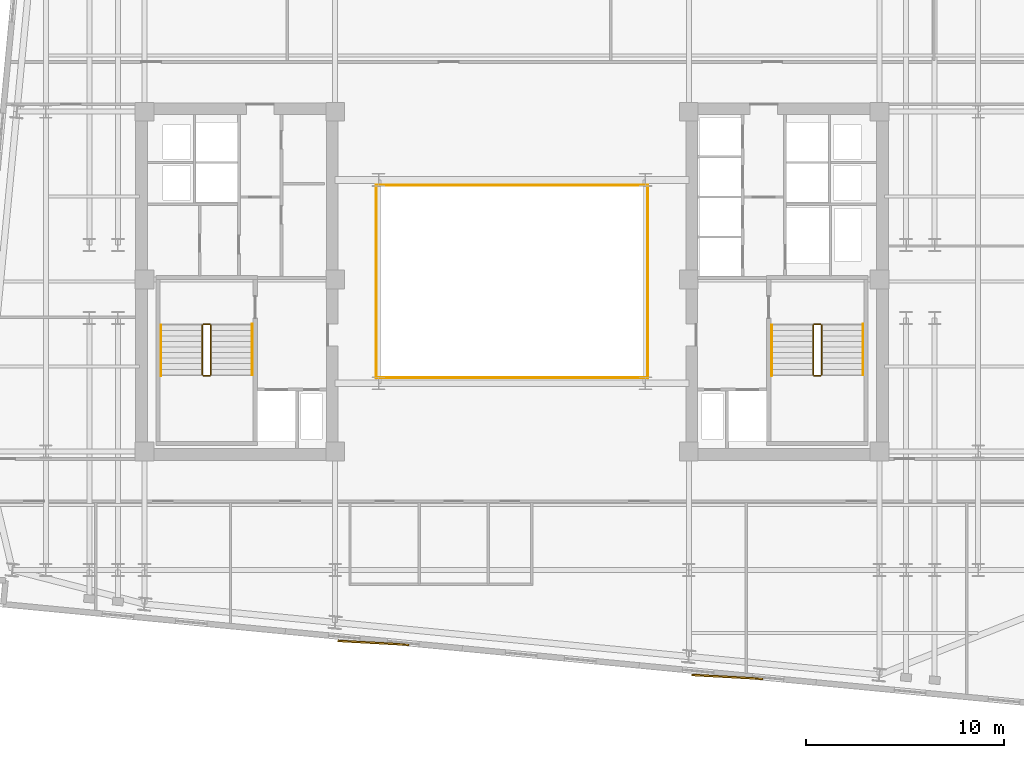
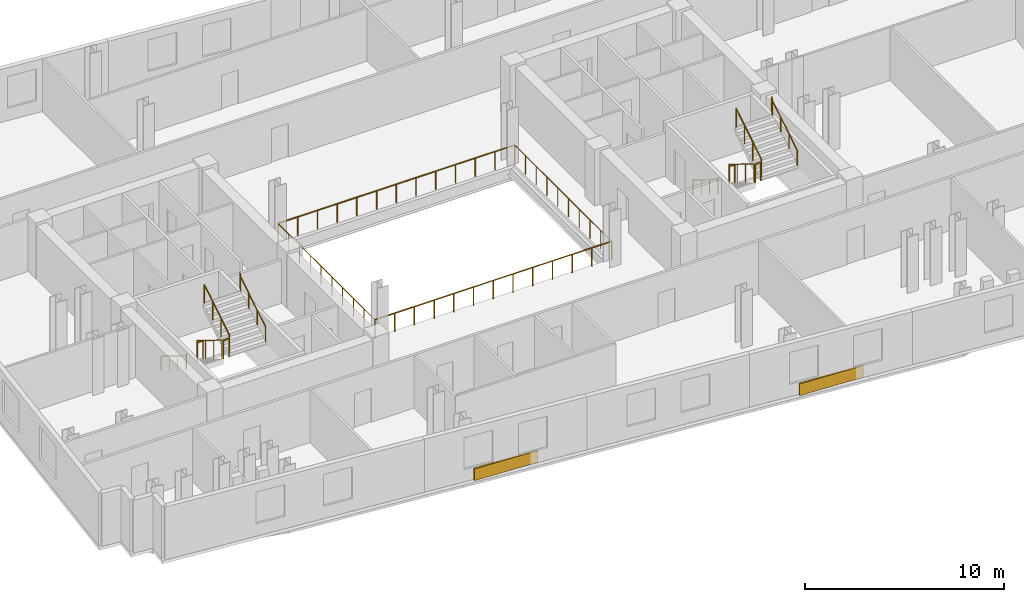
# One storey, part 8 of 9: 16 railings, 2 coverings.
"""IFC4 building model written with IfcOpenShell, lengths in metres."""

from ifc_helpers import new_model, si_unit, direction, frame, origin, origin_2d, place, context, subcontext, project, spatial, rectangle, circle, extrude, material, layer, layer_set, type_object, element, save


model = new_model("IFC4")

# Units and contexts
model_context = context("Model", 3, precision=1e-05, world=origin(), true_north=direction((0.0, 1.0)))
body_context = subcontext(model_context, "Body", "Model", "MODEL_VIEW")
ifc_project = project(units=[si_unit("LENGTHUNIT", "METRE"), si_unit("AREAUNIT", "SQUARE_METRE"), si_unit("VOLUMEUNIT", "CUBIC_METRE"), si_unit("PLANEANGLEUNIT", "RADIAN"), si_unit("MASSUNIT", "GRAM", prefix="KILO")], contexts=[model_context])

# Site, building, storey
site_placement = place(None, origin())
site = spatial("IfcSite", under=ifc_project, at=site_placement, CompositionType="ELEMENT")
building_placement = place(site_placement, origin())
building = spatial("IfcBuilding", under=site, at=building_placement, Name="Velakula Bourse", CompositionType="ELEMENT")
storey_placement = place(building_placement, frame((0.0, 0.0, 181.10009765625)))
storey = spatial("IfcBuildingStorey", under=building, at=storey_placement, Name="L49", CompositionType="ELEMENT", Elevation=181.10009765625)

# Coverings
ifc_material_1 = material(Name="Buff kilned clay facing brick masonry", Category="masonry")
ifc_layer = layer(ifc_material_1, 0.074951171875, Name="Buff kilned clay facing brick masonry", Category="masonry")
ifc_layer_set = layer_set([ifc_layer], Name="Buff kilned clay facing brick masonry")
covering_type = type_object("IfcCoveringType", Name="COV-BRK-SPN-75", PredefinedType="CLADDING", material=ifc_layer_set)
for number, where, z_axis, x_axis, name in (
    (1, (-7.01220703125, -18.288330078125, 0.0), (0.0, 0.0, 1.0), (0.998489097451, -0.054950179912, 0.0), "L49 Folded Brick Facade Cladding Panel S-B2"),
    (2, (10.905029296875, -20.013671875, 0.0), (0.0, 0.0, 1.0), (0.998489097451, -0.054950179912, 0.0), "L49 Folded Brick Facade Cladding Panel S-B4"),
):
    element("IfcCovering", number, at=place(storey_placement, frame(where, z_axis=z_axis, x_axis=x_axis)), inside=storey, type_object=covering_type, Name=name, PredefinedType="CLADDING", context=body_context, shape_type="SweptSolid", body=[
        extrude(rectangle(XDim=3.60009765625, YDim=0.090087890625, at=origin_2d()), origin(), (0.0, 0.0, 1.0), 0.719970703125),
    ])

# Railings
ifc_material_2 = material(Name="Brushed grade 316 stainless steel", Category="steel")
railing_type_1 = type_object("IfcRailingType", Name="RLG-ATRIUM-1150", PredefinedType="BALUSTRADE", material=ifc_material_2)
railing_1_placement = place(storey_placement, frame((-6.8798828125, -4.8798828125, 0.0)))
element("IfcRailing", 3, at=railing_1_placement, inside=storey, type_object=railing_type_1, Name="L49 Central Trading Atrium Balustrade S", PredefinedType="BALUSTRADE", context=body_context, shape_type="SweptSolid", body=[
    extrude(circle(Radius=0.02392578125, at=origin_2d()), frame((0.0, 0.0, 1.1259765625), z_axis=(1.0, 0.0, 0.0), x_axis=(0.0, 1.0, 0.0)), (0.0, 0.0, 1.0), 13.759765625),
    extrude(circle(Radius=0.02099609375, at=origin_2d()), origin(), (0.0, 0.0, 1.0), 1.101806640625),
    extrude(circle(Radius=0.02099609375, at=origin_2d()), frame((1.146728515625, 0.0, 0.0)), (0.0, 0.0, 1.0), 1.101806640625),
    extrude(circle(Radius=0.02099609375, at=origin_2d()), frame((2.293212890625, 0.0, 0.0)), (0.0, 0.0, 1.0), 1.101806640625),
    extrude(circle(Radius=0.02099609375, at=origin_2d()), frame((3.43994140625, 0.0, 0.0)), (0.0, 0.0, 1.0), 1.101806640625),
    extrude(circle(Radius=0.02099609375, at=origin_2d()), frame((4.586669921875, 0.0, 0.0)), (0.0, 0.0, 1.0), 1.101806640625),
    extrude(circle(Radius=0.02099609375, at=origin_2d()), frame((5.733154296875, 0.0, 0.0)), (0.0, 0.0, 1.0), 1.101806640625),
    extrude(circle(Radius=0.02099609375, at=origin_2d()), frame((6.8798828125, 0.0, 0.0)), (0.0, 0.0, 1.0), 1.101806640625),
    extrude(circle(Radius=0.02099609375, at=origin_2d()), frame((8.026611328125, 0.0, 0.0)), (0.0, 0.0, 1.0), 1.101806640625),
    extrude(circle(Radius=0.02099609375, at=origin_2d()), frame((9.173095703125, 0.0, 0.0)), (0.0, 0.0, 1.0), 1.101806640625),
    extrude(circle(Radius=0.02099609375, at=origin_2d()), frame((10.31982421875, 0.0, 0.0)), (0.0, 0.0, 1.0), 1.101806640625),
    extrude(circle(Radius=0.02099609375, at=origin_2d()), frame((11.466552734375, 0.0, 0.0)), (0.0, 0.0, 1.0), 1.101806640625),
    extrude(circle(Radius=0.02099609375, at=origin_2d()), frame((12.613037109375, 0.0, 0.0)), (0.0, 0.0, 1.0), 1.101806640625),
    extrude(circle(Radius=0.02099609375, at=origin_2d()), frame((13.759765625, 0.0, 0.0)), (0.0, 0.0, 1.0), 1.101806640625),
])
railing_2_placement = place(storey_placement, frame((6.8798828125, -4.8798828125, 0.0)))
element("IfcRailing", 4, at=railing_2_placement, inside=storey, type_object=railing_type_1, Name="L49 Central Trading Atrium Balustrade E", PredefinedType="BALUSTRADE", context=body_context, shape_type="SweptSolid", body=[
    extrude(circle(Radius=0.02392578125, at=origin_2d()), frame((0.0, 0.0, 1.1259765625), z_axis=(0.0, 1.0, 0.0), x_axis=(-1.0, 0.0, 0.0)), (0.0, 0.0, 1.0), 9.759765625),
    extrude(circle(Radius=0.02099609375, at=origin_2d()), origin(), (0.0, 0.0, 1.0), 1.101806640625),
    extrude(circle(Radius=0.02099609375, at=origin_2d()), frame((0.0, 1.08447265625, 0.0)), (0.0, 0.0, 1.0), 1.101806640625),
    extrude(circle(Radius=0.02099609375, at=origin_2d()), frame((0.0, 2.1689453125, 0.0)), (0.0, 0.0, 1.0), 1.101806640625),
    extrude(circle(Radius=0.02099609375, at=origin_2d()), frame((0.0, 3.253173828125, 0.0)), (0.0, 0.0, 1.0), 1.101806640625),
    extrude(circle(Radius=0.02099609375, at=origin_2d()), frame((0.0, 4.337646484375, 0.0)), (0.0, 0.0, 1.0), 1.101806640625),
    extrude(circle(Radius=0.02099609375, at=origin_2d()), frame((0.0, 5.422119140625, 0.0)), (0.0, 0.0, 1.0), 1.101806640625),
    extrude(circle(Radius=0.02099609375, at=origin_2d()), frame((0.0, 6.506591796875, 0.0)), (0.0, 0.0, 1.0), 1.101806640625),
    extrude(circle(Radius=0.02099609375, at=origin_2d()), frame((0.0, 7.5908203125, 0.0)), (0.0, 0.0, 1.0), 1.101806640625),
    extrude(circle(Radius=0.02099609375, at=origin_2d()), frame((0.0, 8.67529296875, 0.0)), (0.0, 0.0, 1.0), 1.101806640625),
    extrude(circle(Radius=0.02099609375, at=origin_2d()), frame((0.0, 9.759765625, 0.0)), (0.0, 0.0, 1.0), 1.101806640625),
])
railing_3_placement = place(storey_placement, frame((6.8798828125, 4.8798828125, 0.0)))
element("IfcRailing", 5, at=railing_3_placement, inside=storey, type_object=railing_type_1, Name="L49 Central Trading Atrium Balustrade N", PredefinedType="BALUSTRADE", context=body_context, shape_type="SweptSolid", body=[
    extrude(circle(Radius=0.02392578125, at=origin_2d()), frame((0.0, 0.0, 1.1259765625), z_axis=(-1.0, 0.0, 0.0), x_axis=(0.0, -1.0, 0.0)), (0.0, 0.0, 1.0), 13.759765625),
    extrude(circle(Radius=0.02099609375, at=origin_2d()), origin(), (0.0, 0.0, 1.0), 1.101806640625),
    extrude(circle(Radius=0.02099609375, at=origin_2d()), frame((-1.146728515625, 0.0, 0.0)), (0.0, 0.0, 1.0), 1.101806640625),
    extrude(circle(Radius=0.02099609375, at=origin_2d()), frame((-2.293212890625, 0.0, 0.0)), (0.0, 0.0, 1.0), 1.101806640625),
    extrude(circle(Radius=0.02099609375, at=origin_2d()), frame((-3.43994140625, 0.0, 0.0)), (0.0, 0.0, 1.0), 1.101806640625),
    extrude(circle(Radius=0.02099609375, at=origin_2d()), frame((-4.586669921875, 0.0, 0.0)), (0.0, 0.0, 1.0), 1.101806640625),
    extrude(circle(Radius=0.02099609375, at=origin_2d()), frame((-5.733154296875, 0.0, 0.0)), (0.0, 0.0, 1.0), 1.101806640625),
    extrude(circle(Radius=0.02099609375, at=origin_2d()), frame((-6.8798828125, 0.0, 0.0)), (0.0, 0.0, 1.0), 1.101806640625),
    extrude(circle(Radius=0.02099609375, at=origin_2d()), frame((-8.026611328125, 0.0, 0.0)), (0.0, 0.0, 1.0), 1.101806640625),
    extrude(circle(Radius=0.02099609375, at=origin_2d()), frame((-9.173095703125, 0.0, 0.0)), (0.0, 0.0, 1.0), 1.101806640625),
    extrude(circle(Radius=0.02099609375, at=origin_2d()), frame((-10.31982421875, 0.0, 0.0)), (0.0, 0.0, 1.0), 1.101806640625),
    extrude(circle(Radius=0.02099609375, at=origin_2d()), frame((-11.466552734375, 0.0, 0.0)), (0.0, 0.0, 1.0), 1.101806640625),
    extrude(circle(Radius=0.02099609375, at=origin_2d()), frame((-12.613037109375, 0.0, 0.0)), (0.0, 0.0, 1.0), 1.101806640625),
    extrude(circle(Radius=0.02099609375, at=origin_2d()), frame((-13.759765625, 0.0, 0.0)), (0.0, 0.0, 1.0), 1.101806640625),
])
railing_4_placement = place(storey_placement, frame((-6.8798828125, 4.8798828125, 0.0)))
element("IfcRailing", 6, at=railing_4_placement, inside=storey, type_object=railing_type_1, Name="L49 Central Trading Atrium Balustrade W", PredefinedType="BALUSTRADE", context=body_context, shape_type="SweptSolid", body=[
    extrude(circle(Radius=0.02392578125, at=origin_2d()), frame((0.0, 0.0, 1.1259765625), z_axis=(0.0, -1.0, 0.0), x_axis=(1.0, 0.0, 0.0)), (0.0, 0.0, 1.0), 9.759765625),
    extrude(circle(Radius=0.02099609375, at=origin_2d()), origin(), (0.0, 0.0, 1.0), 1.101806640625),
    extrude(circle(Radius=0.02099609375, at=origin_2d()), frame((0.0, -1.08447265625, 0.0)), (0.0, 0.0, 1.0), 1.101806640625),
    extrude(circle(Radius=0.02099609375, at=origin_2d()), frame((0.0, -2.1689453125, 0.0)), (0.0, 0.0, 1.0), 1.101806640625),
    extrude(circle(Radius=0.02099609375, at=origin_2d()), frame((0.0, -3.253173828125, 0.0)), (0.0, 0.0, 1.0), 1.101806640625),
    extrude(circle(Radius=0.02099609375, at=origin_2d()), frame((0.0, -4.337646484375, 0.0)), (0.0, 0.0, 1.0), 1.101806640625),
    extrude(circle(Radius=0.02099609375, at=origin_2d()), frame((0.0, -5.422119140625, 0.0)), (0.0, 0.0, 1.0), 1.101806640625),
    extrude(circle(Radius=0.02099609375, at=origin_2d()), frame((0.0, -6.506591796875, 0.0)), (0.0, 0.0, 1.0), 1.101806640625),
    extrude(circle(Radius=0.02099609375, at=origin_2d()), frame((0.0, -7.5908203125, 0.0)), (0.0, 0.0, 1.0), 1.101806640625),
    extrude(circle(Radius=0.02099609375, at=origin_2d()), frame((0.0, -8.67529296875, 0.0)), (0.0, 0.0, 1.0), 1.101806640625),
    extrude(circle(Radius=0.02099609375, at=origin_2d()), frame((0.0, -9.759765625, 0.0)), (0.0, 0.0, 1.0), 1.101806640625),
])
railing_type_2 = type_object("IfcRailingType", Name="RLG-STAIR-GUARD-1150", PredefinedType="BALUSTRADE", material=ifc_material_2)
railing_5_placement = place(storey_placement, frame((-15.672119140625, -2.199951171875, 0.17236328125)))
element("IfcRailing", 7, at=railing_5_placement, inside=storey, type_object=railing_type_2, Name="L49 ST-W1 stair guard 1", PredefinedType="BALUSTRADE", context=body_context, shape_type="SweptSolid", body=[
    extrude(circle(Radius=0.02490234375, at=origin_2d()), frame((0.0, 0.0, 1.125), z_axis=(0.0, -0.851400495292, 0.524516154772), x_axis=(1.0, 0.0, 0.0)), (0.0, 0.0, 1.0), 2.9599609375),
    extrude(circle(Radius=0.02099609375, at=origin_2d()), origin(), (0.0, 0.0, 1.0), 1.099853515625),
    extrude(circle(Radius=0.02099609375, at=origin_2d()), frame((0.0, -0.840087890625, 0.517578125)), (0.0, 0.0, 1.0), 1.099853515625),
    extrude(circle(Radius=0.02099609375, at=origin_2d()), frame((0.0, -1.679931640625, 1.034912109375)), (0.0, 0.0, 1.0), 1.099853515625),
    extrude(circle(Radius=0.02099609375, at=origin_2d()), frame((0.0, -2.52001953125, 1.552490234375)), (0.0, 0.0, 1.0), 1.099853515625),
])
railing_6_placement = place(storey_placement, frame((-15.6220703125, -4.77001953125, 1.724853515625)))
element("IfcRailing", 8, at=railing_6_placement, inside=storey, type_object=railing_type_2, Name="L49 ST-W1 stair guard 2", PredefinedType="BALUSTRADE", context=body_context, shape_type="SweptSolid", body=[
    extrude(circle(Radius=0.02490234375, at=origin_2d()), frame((0.0, 0.0, 1.125), z_axis=(1.0, 0.0, 0.0), x_axis=(0.0, 1.0, 0.0)), (0.0, 0.0, 1.0), 0.323974609375),
    extrude(circle(Radius=0.02099609375, at=origin_2d()), origin(), (0.0, 0.0, 1.0), 1.099853515625),
    extrude(circle(Radius=0.02099609375, at=origin_2d()), frame((0.323974609375, 0.0, 0.0)), (0.0, 0.0, 1.0), 1.099853515625),
])
railing_7_placement = place(storey_placement, frame((-15.248046875, -4.719970703125, 1.8974609375)))
element("IfcRailing", 9, at=railing_7_placement, inside=storey, type_object=railing_type_2, Name="L49 ST-W1 stair guard 3", PredefinedType="BALUSTRADE", context=body_context, shape_type="SweptSolid", body=[
    extrude(circle(Radius=0.02490234375, at=origin_2d()), frame((0.0, 0.0, 1.125), z_axis=(0.0, 0.851400495292, 0.524516154772), x_axis=(-1.0, 0.0, 0.0)), (0.0, 0.0, 1.0), 2.9599609375),
    extrude(circle(Radius=0.02099609375, at=origin_2d()), origin(), (0.0, 0.0, 1.0), 1.099853515625),
    extrude(circle(Radius=0.02099609375, at=origin_2d()), frame((0.0, 0.840087890625, 0.517578125)), (0.0, 0.0, 1.0), 1.099853515625),
    extrude(circle(Radius=0.02099609375, at=origin_2d()), frame((0.0, 1.679931640625, 1.034912109375)), (0.0, 0.0, 1.0), 1.099853515625),
    extrude(circle(Radius=0.02099609375, at=origin_2d()), frame((0.0, 2.52001953125, 1.552490234375)), (0.0, 0.0, 1.0), 1.099853515625),
])
railing_8_placement = place(storey_placement, frame((-15.6220703125, -2.14990234375, 0.0)))
element("IfcRailing", 10, at=railing_8_placement, inside=storey, type_object=railing_type_2, Name="L49 ST-W1 stair guard 4", PredefinedType="BALUSTRADE", context=body_context, shape_type="SweptSolid", body=[
    extrude(circle(Radius=0.02490234375, at=origin_2d()), frame((0.0, 0.0, 1.125), z_axis=(1.0, 0.0, 0.0), x_axis=(0.0, 1.0, 0.0)), (0.0, 0.0, 1.0), 0.323974609375),
    extrude(circle(Radius=0.02099609375, at=origin_2d()), origin(), (0.0, 0.0, 1.0), 1.099853515625),
    extrude(circle(Radius=0.02099609375, at=origin_2d()), frame((0.323974609375, 0.0, 0.0)), (0.0, 0.0, 1.0), 1.099853515625),
])
railing_9_placement = place(storey_placement, frame((15.248046875, -2.199951171875, 0.17236328125)))
element("IfcRailing", 11, at=railing_9_placement, inside=storey, type_object=railing_type_2, Name="L49 ST-E1 stair guard 1", PredefinedType="BALUSTRADE", context=body_context, shape_type="SweptSolid", body=[
    extrude(circle(Radius=0.02490234375, at=origin_2d()), frame((0.0, 0.0, 1.125), z_axis=(0.0, -0.851400495292, 0.524516154772), x_axis=(1.0, 0.0, 0.0)), (0.0, 0.0, 1.0), 2.9599609375),
    extrude(circle(Radius=0.02099609375, at=origin_2d()), origin(), (0.0, 0.0, 1.0), 1.099853515625),
    extrude(circle(Radius=0.02099609375, at=origin_2d()), frame((0.0, -0.840087890625, 0.517578125)), (0.0, 0.0, 1.0), 1.099853515625),
    extrude(circle(Radius=0.02099609375, at=origin_2d()), frame((0.0, -1.679931640625, 1.034912109375)), (0.0, 0.0, 1.0), 1.099853515625),
    extrude(circle(Radius=0.02099609375, at=origin_2d()), frame((0.0, -2.52001953125, 1.552490234375)), (0.0, 0.0, 1.0), 1.099853515625),
])
railing_10_placement = place(storey_placement, frame((15.298095703125, -4.77001953125, 1.724853515625)))
element("IfcRailing", 12, at=railing_10_placement, inside=storey, type_object=railing_type_2, Name="L49 ST-E1 stair guard 2", PredefinedType="BALUSTRADE", context=body_context, shape_type="SweptSolid", body=[
    extrude(circle(Radius=0.02490234375, at=origin_2d()), frame((0.0, 0.0, 1.125), z_axis=(1.0, 0.0, 0.0), x_axis=(0.0, 1.0, 0.0)), (0.0, 0.0, 1.0), 0.323974609375),
    extrude(circle(Radius=0.02099609375, at=origin_2d()), origin(), (0.0, 0.0, 1.0), 1.099853515625),
    extrude(circle(Radius=0.02099609375, at=origin_2d()), frame((0.323974609375, 0.0, 0.0)), (0.0, 0.0, 1.0), 1.099853515625),
])
railing_11_placement = place(storey_placement, frame((15.672119140625, -4.719970703125, 1.8974609375)))
element("IfcRailing", 13, at=railing_11_placement, inside=storey, type_object=railing_type_2, Name="L49 ST-E1 stair guard 3", PredefinedType="BALUSTRADE", context=body_context, shape_type="SweptSolid", body=[
    extrude(circle(Radius=0.02490234375, at=origin_2d()), frame((0.0, 0.0, 1.125), z_axis=(0.0, 0.851400495292, 0.524516154772), x_axis=(-1.0, 0.0, 0.0)), (0.0, 0.0, 1.0), 2.9599609375),
    extrude(circle(Radius=0.02099609375, at=origin_2d()), origin(), (0.0, 0.0, 1.0), 1.099853515625),
    extrude(circle(Radius=0.02099609375, at=origin_2d()), frame((0.0, 0.840087890625, 0.517578125)), (0.0, 0.0, 1.0), 1.099853515625),
    extrude(circle(Radius=0.02099609375, at=origin_2d()), frame((0.0, 1.679931640625, 1.034912109375)), (0.0, 0.0, 1.0), 1.099853515625),
    extrude(circle(Radius=0.02099609375, at=origin_2d()), frame((0.0, 2.52001953125, 1.552490234375)), (0.0, 0.0, 1.0), 1.099853515625),
])
railing_12_placement = place(storey_placement, frame((15.298095703125, -2.14990234375, 0.0)))
element("IfcRailing", 14, at=railing_12_placement, inside=storey, type_object=railing_type_2, Name="L49 ST-E1 stair guard 4", PredefinedType="BALUSTRADE", context=body_context, shape_type="SweptSolid", body=[
    extrude(circle(Radius=0.02490234375, at=origin_2d()), frame((0.0, 0.0, 1.125), z_axis=(1.0, 0.0, 0.0), x_axis=(0.0, 1.0, 0.0)), (0.0, 0.0, 1.0), 0.323974609375),
    extrude(circle(Radius=0.02099609375, at=origin_2d()), origin(), (0.0, 0.0, 1.0), 1.099853515625),
    extrude(circle(Radius=0.02099609375, at=origin_2d()), frame((0.323974609375, 0.0, 0.0)), (0.0, 0.0, 1.0), 1.099853515625),
])
railing_type_3 = type_object("IfcRailingType", Name="RLG-STAIR-HAND-920", PredefinedType="HANDRAIL", material=ifc_material_2)
railing_13_placement = place(storey_placement, frame((-17.77001953125, -2.199951171875, 0.17236328125)))
element("IfcRailing", 15, at=railing_13_placement, inside=storey, type_object=railing_type_3, Name="L49 ST-W1 stair handrail 1", PredefinedType="HANDRAIL", context=body_context, shape_type="SweptSolid", body=[
    extrude(circle(Radius=0.02099609375, at=origin_2d()), frame((0.0, 0.0, 0.89892578125), z_axis=(0.0, -0.851400495292, 0.524516154772), x_axis=(1.0, 0.0, 0.0)), (0.0, 0.0, 1.0), 2.9599609375),
    extrude(circle(Radius=0.02099609375, at=origin_2d()), frame((0.0, -2.52001953125, 2.451416015625), z_axis=(0.0, -0.22596628056, 0.974135124123), x_axis=(1.0, 0.0, 0.0)), (0.0, 0.0, 1.0), 0.17724609375),
    extrude(circle(Radius=0.02099609375, at=origin_2d()), frame((0.0, -2.56005859375, 2.6240234375), z_axis=(0.0, -1.0, 0.0), x_axis=(1.0, 0.0, 0.0)), (0.0, 0.0, 1.0), 0.0048828125),
    extrude(circle(Radius=0.02099609375, at=origin_2d()), origin(), (0.0, 0.0, 1.0), 0.8779296875),
    extrude(circle(Radius=0.02099609375, at=origin_2d()), frame((0.0, -0.840087890625, 0.517578125)), (0.0, 0.0, 1.0), 0.8779296875),
    extrude(circle(Radius=0.02099609375, at=origin_2d()), frame((0.0, -1.679931640625, 1.034912109375)), (0.0, 0.0, 1.0), 0.8779296875),
    extrude(circle(Radius=0.02099609375, at=origin_2d()), frame((0.0, -2.52001953125, 1.552490234375)), (0.0, 0.0, 1.0), 0.8779296875),
    extrude(circle(Radius=0.02099609375, at=origin_2d()), frame((0.0, -2.56005859375, 1.72509765625)), (0.0, 0.0, 1.0), 0.8779296875),
    extrude(circle(Radius=0.02099609375, at=origin_2d()), frame((0.0, -2.56494140625, 1.72509765625)), (0.0, 0.0, 1.0), 0.8779296875),
])
railing_14_placement = place(storey_placement, frame((-13.14990234375, -4.719970703125, 1.8974609375)))
element("IfcRailing", 16, at=railing_14_placement, inside=storey, type_object=railing_type_3, Name="L49 ST-W1 stair handrail 2", PredefinedType="HANDRAIL", context=body_context, shape_type="SweptSolid", body=[
    extrude(circle(Radius=0.02099609375, at=origin_2d()), frame((0.0, 0.0, 0.89892578125), z_axis=(0.0, 0.851400495292, 0.524516154772), x_axis=(-1.0, 0.0, 0.0)), (0.0, 0.0, 1.0), 2.9599609375),
    extrude(circle(Radius=0.02099609375, at=origin_2d()), frame((0.0, 2.52001953125, 2.451416015625), z_axis=(0.0, 0.226269970362, 0.974064628509), x_axis=(-1.0, 0.0, 0.0)), (0.0, 0.0, 1.0), 0.177001953125),
    extrude(circle(Radius=0.02099609375, at=origin_2d()), frame((0.0, 2.56005859375, 2.623779296875), z_axis=(0.0, 1.0, 0.0), x_axis=(-1.0, 0.0, 0.0)), (0.0, 0.0, 1.0), 0.0048828125),
    extrude(circle(Radius=0.02099609375, at=origin_2d()), origin(), (0.0, 0.0, 1.0), 0.8779296875),
    extrude(circle(Radius=0.02099609375, at=origin_2d()), frame((0.0, 0.840087890625, 0.517578125)), (0.0, 0.0, 1.0), 0.8779296875),
    extrude(circle(Radius=0.02099609375, at=origin_2d()), frame((0.0, 1.679931640625, 1.034912109375)), (0.0, 0.0, 1.0), 0.8779296875),
    extrude(circle(Radius=0.02099609375, at=origin_2d()), frame((0.0, 2.52001953125, 1.552490234375)), (0.0, 0.0, 1.0), 0.8779296875),
    extrude(circle(Radius=0.02099609375, at=origin_2d()), frame((0.0, 2.56005859375, 1.724853515625)), (0.0, 0.0, 1.0), 0.8779296875),
    extrude(circle(Radius=0.02099609375, at=origin_2d()), frame((0.0, 2.56494140625, 1.724853515625)), (0.0, 0.0, 1.0), 0.8779296875),
])
railing_15_placement = place(storey_placement, frame((13.14990234375, -2.199951171875, 0.17236328125)))
element("IfcRailing", 17, at=railing_15_placement, inside=storey, type_object=railing_type_3, Name="L49 ST-E1 stair handrail 1", PredefinedType="HANDRAIL", context=body_context, shape_type="SweptSolid", body=[
    extrude(circle(Radius=0.02099609375, at=origin_2d()), frame((0.0, 0.0, 0.89892578125), z_axis=(0.0, -0.851400495292, 0.524516154772), x_axis=(1.0, 0.0, 0.0)), (0.0, 0.0, 1.0), 2.9599609375),
    extrude(circle(Radius=0.02099609375, at=origin_2d()), frame((0.0, -2.52001953125, 2.451416015625), z_axis=(0.0, -0.22596628056, 0.974135124123), x_axis=(1.0, 0.0, 0.0)), (0.0, 0.0, 1.0), 0.17724609375),
    extrude(circle(Radius=0.02099609375, at=origin_2d()), frame((0.0, -2.56005859375, 2.6240234375), z_axis=(0.0, -1.0, 0.0), x_axis=(1.0, 0.0, 0.0)), (0.0, 0.0, 1.0), 0.0048828125),
    extrude(circle(Radius=0.02099609375, at=origin_2d()), origin(), (0.0, 0.0, 1.0), 0.8779296875),
    extrude(circle(Radius=0.02099609375, at=origin_2d()), frame((0.0, -0.840087890625, 0.517578125)), (0.0, 0.0, 1.0), 0.8779296875),
    extrude(circle(Radius=0.02099609375, at=origin_2d()), frame((0.0, -1.679931640625, 1.034912109375)), (0.0, 0.0, 1.0), 0.8779296875),
    extrude(circle(Radius=0.02099609375, at=origin_2d()), frame((0.0, -2.52001953125, 1.552490234375)), (0.0, 0.0, 1.0), 0.8779296875),
    extrude(circle(Radius=0.02099609375, at=origin_2d()), frame((0.0, -2.56005859375, 1.72509765625)), (0.0, 0.0, 1.0), 0.8779296875),
    extrude(circle(Radius=0.02099609375, at=origin_2d()), frame((0.0, -2.56494140625, 1.72509765625)), (0.0, 0.0, 1.0), 0.8779296875),
])
railing_16_placement = place(storey_placement, frame((17.77001953125, -4.719970703125, 1.8974609375)))
element("IfcRailing", 18, at=railing_16_placement, inside=storey, type_object=railing_type_3, Name="L49 ST-E1 stair handrail 2", PredefinedType="HANDRAIL", context=body_context, shape_type="SweptSolid", body=[
    extrude(circle(Radius=0.02099609375, at=origin_2d()), frame((0.0, 0.0, 0.89892578125), z_axis=(0.0, 0.851400495292, 0.524516154772), x_axis=(-1.0, 0.0, 0.0)), (0.0, 0.0, 1.0), 2.9599609375),
    extrude(circle(Radius=0.02099609375, at=origin_2d()), frame((0.0, 2.52001953125, 2.451416015625), z_axis=(0.0, 0.226269970362, 0.974064628509), x_axis=(-1.0, 0.0, 0.0)), (0.0, 0.0, 1.0), 0.177001953125),
    extrude(circle(Radius=0.02099609375, at=origin_2d()), frame((0.0, 2.56005859375, 2.623779296875), z_axis=(0.0, 1.0, 0.0), x_axis=(-1.0, 0.0, 0.0)), (0.0, 0.0, 1.0), 0.0048828125),
    extrude(circle(Radius=0.02099609375, at=origin_2d()), origin(), (0.0, 0.0, 1.0), 0.8779296875),
    extrude(circle(Radius=0.02099609375, at=origin_2d()), frame((0.0, 0.840087890625, 0.517578125)), (0.0, 0.0, 1.0), 0.8779296875),
    extrude(circle(Radius=0.02099609375, at=origin_2d()), frame((0.0, 1.679931640625, 1.034912109375)), (0.0, 0.0, 1.0), 0.8779296875),
    extrude(circle(Radius=0.02099609375, at=origin_2d()), frame((0.0, 2.52001953125, 1.552490234375)), (0.0, 0.0, 1.0), 0.8779296875),
    extrude(circle(Radius=0.02099609375, at=origin_2d()), frame((0.0, 2.56005859375, 1.724853515625)), (0.0, 0.0, 1.0), 0.8779296875),
    extrude(circle(Radius=0.02099609375, at=origin_2d()), frame((0.0, 2.56494140625, 1.724853515625)), (0.0, 0.0, 1.0), 0.8779296875),
])

save(model, "model.ifc")
